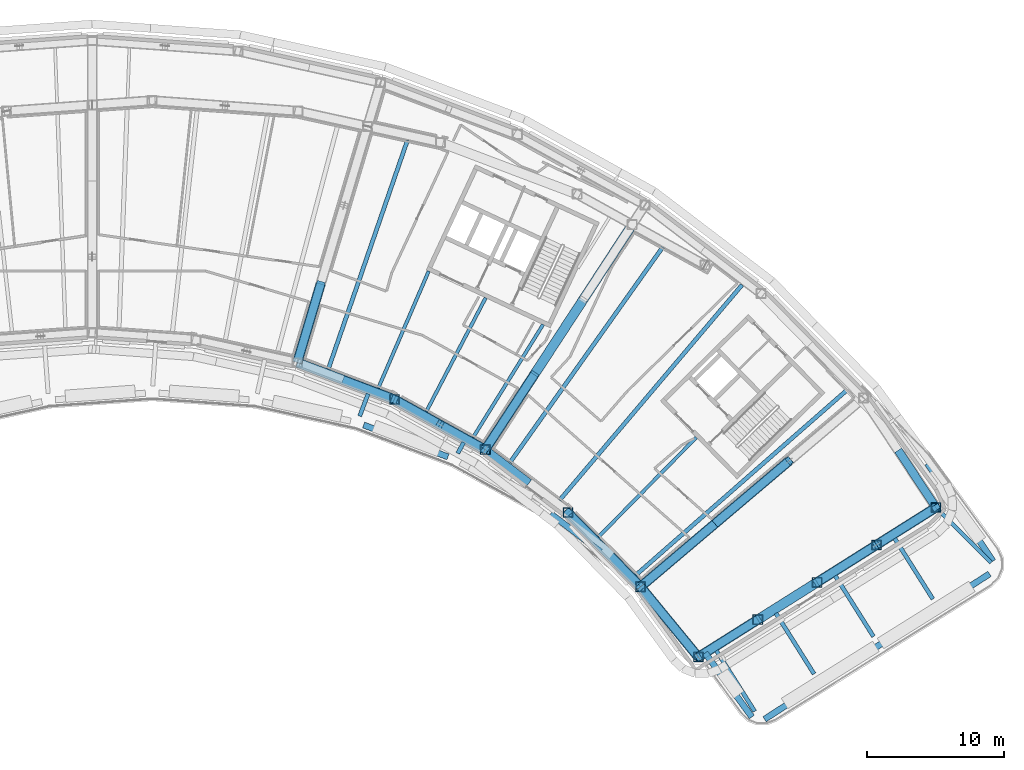
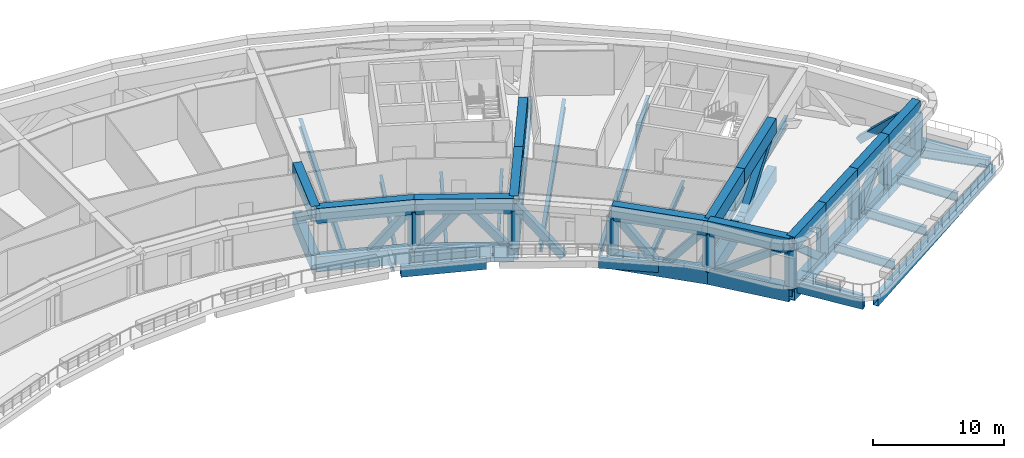
# One storey, part 4 of 26: 47 beams, 24 members.
"""IFC4 building model written with IfcOpenShell, lengths in metres."""

import ifcopenshell
import ifcopenshell.guid

model = None  # the IFC model being written
_history = None  # IfcOwnerHistory: only IFC2X3 demands one
_inside = {}  # id of a spatial element -> (the spatial element, [elements in it])
_under = {}  # id of a project, library or spatial element -> (it, [spatial elements below it])
_declared = {}  # id of a project -> (the project, [libraries it declares])
_typed = {}  # id of a type object -> (the type object, [elements of that type])
_made_of = {}  # id of a material, layer set ... -> (it, [elements and type objects made of it])


def new_model(schema):
    """Start an empty IFC model of exactly this schema.

    Asked for "IFC4X3", IfcOpenShell would pick the latest addendum, in which some entities
    have other attributes; the version numbers below select the first issue.
    IFC2X3 requires an IfcOwnerHistory on every rooted entity: one is made here for all.
    """
    global model, _history
    if schema == "IFC4X3":
        model = ifcopenshell.file(schema_version=(4, 3, 0, 0))
    else:
        model = ifcopenshell.file(schema=schema)
    _inside.clear()
    _under.clear()
    _declared.clear()
    _typed.clear()
    _made_of.clear()
    _history = None
    if model.schema == "IFC2X3":
        org = make("IfcOrganization", Name="unknown")
        user = make(
            "IfcPersonAndOrganization",
            ThePerson=make("IfcPerson", FamilyName="unknown"),
            TheOrganization=org,
        )
        app = make(
            "IfcApplication",
            ApplicationDeveloper=org,
            Version="unknown",
            ApplicationFullName="unknown",
            ApplicationIdentifier="unknown",
        )
        _history = make(
            "IfcOwnerHistory",
            OwningUser=user,
            OwningApplication=app,
            ChangeAction="ADDED",
            CreationDate=0,
        )
    return model


def make(cls, **values):
    """One entity of the class cls with the attributes given. An attribute that is None is left unset."""
    return model.create_entity(
        cls, **{name: value for name, value in values.items() if value is not None}
    )


def rooted(cls, **values):
    """An entity with a GlobalId (a new one), such as an element, a storey or a relation."""
    return make(cls, GlobalId=ifcopenshell.guid.new(), OwnerHistory=_history, **values)


def si_unit(unit_type, name, prefix=None):
    """IfcSIUnit, for example si_unit("LENGTHUNIT", "METRE", prefix="MILLI")."""
    return make("IfcSIUnit", UnitType=unit_type, Prefix=prefix, Name=name)


def assignment(units):
    """IfcUnitAssignment: the units of a project."""
    return None if units is None else make("IfcUnitAssignment", Units=units)


def point(xyz):
    """IfcCartesianPoint."""
    return None if xyz is None else make("IfcCartesianPoint", Coordinates=xyz)


def direction(xyz):
    """IfcDirection."""
    return None if xyz is None else make("IfcDirection", DirectionRatios=xyz)


def frame(location, z_axis=None, x_axis=None):
    """IfcAxis2Placement3D, a coordinate frame: its origin and axes. An axis left out is left unset."""
    return make(
        "IfcAxis2Placement3D",
        Location=point(location),
        Axis=direction(z_axis),
        RefDirection=direction(x_axis),
    )


def frame_2d(location, x_axis=None):
    """IfcAxis2Placement2D, a coordinate frame in the plane: its origin and x axis."""
    return make(
        "IfcAxis2Placement2D", Location=point(location), RefDirection=direction(x_axis)
    )


def origin():
    """The frame at (0, 0, 0) with its axes left unset."""
    return frame((0.0, 0.0, 0.0))


def origin_2d():
    """The frame at (0, 0) in the plane with its x axis left unset."""
    return frame_2d((0.0, 0.0))


def place(relative_to, where):
    """IfcLocalPlacement: puts the frame where relative to a parent placement (None: the world)."""
    return make(
        "IfcLocalPlacement", PlacementRelTo=relative_to, RelativePlacement=where
    )


def context(
    kind, dimensions, precision=None, world=None, true_north=None, identifier=None
):
    """IfcGeometricRepresentationContext, for example the 3D "Model" context."""
    return make(
        "IfcGeometricRepresentationContext",
        ContextIdentifier=identifier,
        ContextType=kind,
        CoordinateSpaceDimension=dimensions,
        Precision=precision,
        WorldCoordinateSystem=world,
        TrueNorth=true_north,
    )


def subcontext(parent, identifier, kind, view, scale=None):
    """IfcGeometricRepresentationSubContext, for example "Body" below "Model"."""
    return make(
        "IfcGeometricRepresentationSubContext",
        ContextIdentifier=identifier,
        ContextType=kind,
        ParentContext=parent,
        TargetScale=scale,
        TargetView=view,
    )


def project(units=None, contexts=None):
    """IfcProject with its units and contexts."""
    return rooted(
        "IfcProject",
        Name="project",
        RepresentationContexts=contexts,
        UnitsInContext=assignment(units),
    )


def spatial(cls, under=None, at=None, **own):
    """A site, building, storey or space (cls), placed at a placement, below another one or the project."""
    s = rooted(cls, ObjectPlacement=at, **own)
    if under is not None:
        _under.setdefault(under.id(), (under, []))[1].append(s)
    return s


def profile(cls, at=None, kind="AREA", **sizes):
    """A parametric profile (cls). Its sizes go by their IFC names, for example OverallWidth=200.0."""
    return make(cls, ProfileType=kind, Position=at, **sizes)


def hollow_rectangle(**sizes):
    """IfcRectangleHollowProfileDef."""
    return profile("IfcRectangleHollowProfileDef", **sizes)


def i_section(**sizes):
    """IfcIShapeProfileDef."""
    return profile("IfcIShapeProfileDef", **sizes)


def extrude(swept, where, along, depth):
    """IfcExtrudedAreaSolid: the profile swept, set in the frame where, extruded along a direction by depth."""
    return make(
        "IfcExtrudedAreaSolid",
        SweptArea=swept,
        Position=where,
        ExtrudedDirection=direction(along),
        Depth=depth,
    )


def shape(context_of_items, identifier, shape_type, items):
    """IfcShapeRepresentation: the items that make up one representation, for example the "Body"."""
    return make(
        "IfcShapeRepresentation",
        ContextOfItems=context_of_items,
        RepresentationIdentifier=identifier,
        RepresentationType=shape_type,
        Items=items,
    )


def material(Name=None, Category=None):
    """IfcMaterial."""
    return make("IfcMaterial", Name=Name, Category=Category)


def material_profile(
    of_material, cross_section, Name=None, Category=None, Priority=None
):
    """IfcMaterialProfile: a cross section and its material."""
    return make(
        "IfcMaterialProfile",
        Name=Name,
        Material=of_material,
        Profile=cross_section,
        Priority=Priority,
        Category=Category,
    )


def profile_set(profiles, Name=None, composite=None):
    """IfcMaterialProfileSet."""
    return make(
        "IfcMaterialProfileSet",
        Name=Name,
        MaterialProfiles=profiles,
        CompositeProfile=composite,
    )


def made_of(thing, what):
    """Note that an element or type object is made of a material, layer set ...; save() writes the relation."""
    if what is not None:
        _made_of.setdefault(what.id(), (what, []))[1].append(thing)
    return thing


def type_object(cls, material=None, **own):
    """A type object (cls), such as IfcWallType, which elements share."""
    return made_of(rooted(cls, **own), material)


def element(
    cls,
    number,
    at=None,
    inside=None,
    cuts=None,
    type_object=None,
    material=None,
    context=None,
    identifier="Body",
    shape_type=None,
    held_by="IfcProductDefinitionShape",
    body=None,
    shapes=None,
    **own,
):
    """One element of the class cls, such as IfcWall. Its Tag is "e" and its number.

    at: its placement. inside: the storey or other place that contains it. cuts: it is an
    opening in that element (IfcRelVoidsElement). A single representation is given by context,
    identifier, shape_type and body (its items); several are given by shapes. held_by: the class
    of the entity that holds the representations. save() writes the other relations.
    """
    e = rooted(cls, Tag="e%d" % number, ObjectPlacement=at, **own)
    if body is not None:
        shapes = [shape(context, identifier, shape_type, body)]
    if shapes is not None:
        e.Representation = make(held_by, Representations=shapes)
    if inside is not None:
        _inside.setdefault(inside.id(), (inside, []))[1].append(e)
    if cuts is not None:
        rooted(
            "IfcRelVoidsElement", RelatingBuildingElement=cuts, RelatedOpeningElement=e
        )
    if type_object is not None:
        _typed.setdefault(type_object.id(), (type_object, []))[1].append(e)
    return made_of(e, material)


def aggregate(whole, parts):
    """IfcRelAggregates: a whole, such as a stair, and the parts it consists of."""
    return rooted("IfcRelAggregates", RelatingObject=whole, RelatedObjects=parts)


def save(model, path):
    """Write the relations noted so far, then the file.

    IfcRelAggregates (storeys below a building ...), IfcRelContainedInSpatialStructure (elements
    in a storey), IfcRelDefinesByType, IfcRelAssociatesMaterial and IfcRelDeclares: one each for
    every whole, place, type object, material and project.
    """
    for whole, parts in _under.values():
        aggregate(whole, parts)
    for where, things in _inside.values():
        rooted(
            "IfcRelContainedInSpatialStructure",
            RelatedElements=things,
            RelatingStructure=where,
        )
    for kind, things in _typed.values():
        rooted("IfcRelDefinesByType", RelatedObjects=things, RelatingType=kind)
    for what, things in _made_of.values():
        rooted("IfcRelAssociatesMaterial", RelatedObjects=things, RelatingMaterial=what)
    for by, libraries in _declared.values():
        rooted("IfcRelDeclares", RelatingContext=by, RelatedDefinitions=libraries)
    model.write(path)


model = new_model("IFC4")

# Units and contexts
model_context = context("Model", 3, precision=1e-05, world=origin(), true_north=direction((0.0, 1.0)))
body_context = subcontext(model_context, "Body", "Model", "MODEL_VIEW")
ifc_project = project(units=[si_unit("LENGTHUNIT", "METRE"), si_unit("AREAUNIT", "SQUARE_METRE"), si_unit("VOLUMEUNIT", "CUBIC_METRE"), si_unit("PLANEANGLEUNIT", "RADIAN"), si_unit("MASSUNIT", "GRAM", prefix="KILO")], contexts=[model_context])

# Site, building, storey
site_placement = place(None, origin())
site = spatial("IfcSite", under=ifc_project, at=site_placement, CompositionType="ELEMENT")
building_placement = place(site_placement, origin())
building = spatial("IfcBuilding", under=site, at=building_placement, Name="Tuul Gate Civic Tower", CompositionType="ELEMENT")
storey_placement = place(building_placement, frame((0.0, 0.0, 167.60009765625)))
storey = spatial("IfcBuildingStorey", under=building, at=storey_placement, Name="Plant and refuge floor 5", CompositionType="ELEMENT", Elevation=167.60009765625)

# Beams
ifc_material_1 = material(Name="Steel S355", Category="steel")
ifc_material_profile_1 = material_profile(ifc_material_1, i_section(OverallWidth=0.25, OverallDepth=0.64990234375, WebThickness=0.011962890625, FlangeThickness=0.02001953125, at=origin_2d()), Name="PG650x250x12x20")
ifc_profile_set_1 = profile_set([ifc_material_profile_1], Name="Steel S355")
beam_type_1 = type_object("IfcBeamType", Name="STR-FLOOR BEAM-PG650x250x12x20", PredefinedType="BEAM", material=ifc_profile_set_1)
beam_1_placement = place(storey_placement, frame((37.98974609375, -22.6650390625, -0.72509765625), z_axis=(0.701216632852, 0.712948268679, 0.0), x_axis=(-0.712948268679, 0.701216632852, 0.0)))
element("IfcBeam", 1, at=beam_1_placement, inside=storey, type_object=beam_type_1, Name="Floor beam", PredefinedType="BEAM", context=body_context, shape_type="SweptSolid", body=[
    extrude(i_section(OverallWidth=0.25, OverallDepth=0.64990234375, WebThickness=0.011962890625, FlangeThickness=0.02001953125, at=origin_2d()), origin(), (0.0, 0.0, 1.0), 10.197021484375),
])
beam_2_placement = place(storey_placement, frame((28.826171875, -15.39453125, -0.72509765625), z_axis=(0.526994155031, 0.84986890787, 0.0), x_axis=(-0.84986890787, 0.526994155031, 0.0)))
element("IfcBeam", 2, at=beam_2_placement, inside=storey, type_object=beam_type_1, Name="Floor beam", PredefinedType="BEAM", context=body_context, shape_type="SweptSolid", body=[
    extrude(i_section(OverallWidth=0.25, OverallDepth=0.64990234375, WebThickness=0.011962890625, FlangeThickness=0.02001953125, at=origin_2d()), origin(), (0.0, 0.0, 1.0), 9.709716796875),
])
beam_3_placement = place(storey_placement, frame((25.4091796875, -13.50048828125, -0.72509765625), z_axis=(0.462713689237, 0.886507778755, 0.0), x_axis=(-0.886507778755, 0.462713689237, 0.0)))
element("IfcBeam", 3, at=beam_3_placement, inside=storey, type_object=beam_type_1, Name="Floor beam", PredefinedType="BEAM", context=body_context, shape_type="SweptSolid", body=[
    extrude(i_section(OverallWidth=0.25, OverallDepth=0.64990234375, WebThickness=0.011962890625, FlangeThickness=0.02001953125, at=origin_2d()), origin(), (0.0, 0.0, 1.0), 9.378173828125),
])
beam_4_placement = place(storey_placement, frame((21.89794921875, -11.7880859375, -0.72509765625), z_axis=(0.395919764513, 0.918285108269, 0.0), x_axis=(-0.918285108269, 0.395919764513, 0.0)))
element("IfcBeam", 4, at=beam_4_placement, inside=storey, type_object=beam_type_1, Name="Floor beam", PredefinedType="BEAM", context=body_context, shape_type="SweptSolid", body=[
    extrude(i_section(OverallWidth=0.25, OverallDepth=0.64990234375, WebThickness=0.011962890625, FlangeThickness=0.02001953125, at=origin_2d()), origin(), (0.0, 0.0, 1.0), 9.304443359375),
])
ifc_material_2 = material(Name="Steel S355", Category="steel")
ifc_material_profile_2 = material_profile(ifc_material_2, i_section(OverallWidth=0.300048828125, OverallDepth=0.800048828125, WebThickness=0.013916015625, FlangeThickness=0.02490234375, at=origin_2d()), Name="PG800x300x14x25")
ifc_profile_set_2 = profile_set([ifc_material_profile_2], Name="Steel S355")
beam_type_2 = type_object("IfcBeamType", Name="STR-FLOOR BEAM-PG800x300x14x25", PredefinedType="BEAM", material=ifc_profile_set_2)
beam_5_placement = place(storey_placement, frame((40.724853515625, -25.455810546875, -0.800048828125), z_axis=(0.75201860122, 0.659141884134, 0.0), x_axis=(-0.659141884134, 0.75201860122, 0.0)))
element("IfcBeam", 5, at=beam_5_placement, inside=storey, type_object=beam_type_2, Name="Floor beam", PredefinedType="BEAM", context=body_context, shape_type="SweptSolid", body=[
    extrude(i_section(OverallWidth=0.300048828125, OverallDepth=0.800048828125, WebThickness=0.013916015625, FlangeThickness=0.02490234375, at=origin_2d()), origin(), (0.0, 0.0, 1.0), 20.63232421875),
])
beam_6_placement = place(storey_placement, frame((35.14794921875, -19.9833984375, -0.800048828125), z_axis=(0.646595130625, 0.762833361261, 0.0), x_axis=(-0.762833361261, 0.646595130625, 0.0)))
element("IfcBeam", 6, at=beam_6_placement, inside=storey, type_object=beam_type_2, Name="Floor beam", PredefinedType="BEAM", context=body_context, shape_type="SweptSolid", body=[
    extrude(i_section(OverallWidth=0.300048828125, OverallDepth=0.800048828125, WebThickness=0.013916015625, FlangeThickness=0.02490234375, at=origin_2d()), origin(), (0.0, 0.0, 1.0), 20.62744140625),
])
beam_7_placement = place(storey_placement, frame((31.525146484375, -17.225341796875, -0.800048828125), z_axis=(0.578474532551, 0.81570044452, 0.0), x_axis=(-0.81570044452, 0.578474532551, 0.0)))
element("IfcBeam", 7, at=beam_7_placement, inside=storey, type_object=beam_type_2, Name="Floor beam", PredefinedType="BEAM", context=body_context, shape_type="SweptSolid", body=[
    extrude(i_section(OverallWidth=0.300048828125, OverallDepth=0.800048828125, WebThickness=0.013916015625, FlangeThickness=0.02490234375, at=origin_2d()), origin(), (0.0, 0.0, 1.0), 19.3017578125),
])
beam_8_placement = place(storey_placement, frame((18.243896484375, -10.406494140625, -0.800048828125), z_axis=(0.326923596395, 0.945050772245, 0.0), x_axis=(-0.945050772245, 0.326923596395, 0.0)))
element("IfcBeam", 8, at=beam_8_placement, inside=storey, type_object=beam_type_2, Name="Floor beam", PredefinedType="BEAM", context=body_context, shape_type="SweptSolid", body=[
    extrude(i_section(OverallWidth=0.300048828125, OverallDepth=0.800048828125, WebThickness=0.013916015625, FlangeThickness=0.02490234375, at=origin_2d()), origin(), (0.0, 0.0, 1.0), 17.7158203125),
])
beam_9_placement = place(storey_placement, frame((66.69140625, -24.54345703125, -0.800048828125), z_axis=(-0.707106781187, 0.707106781187, 0.0), x_axis=(-0.707106781187, -0.707106781187, 0.0)))
element("IfcBeam", 9, at=beam_9_placement, inside=storey, type_object=beam_type_2, Name="Terrace beam", PredefinedType="BEAM", context=body_context, shape_type="SweptSolid", body=[
    extrude(i_section(OverallWidth=0.300048828125, OverallDepth=0.800048828125, WebThickness=0.013916015625, FlangeThickness=0.02490234375, at=origin_2d()), origin(), (0.0, 0.0, 1.0), 5.39990234375),
])
beam_10_placement = place(storey_placement, frame((49.408447265625, -35.411865234375, -0.800048828125), z_axis=(-0.532970022672, 0.846134123489, 0.0), x_axis=(-0.846134123489, -0.532970022672, 0.0)))
element("IfcBeam", 10, at=beam_10_placement, inside=storey, type_object=beam_type_2, Name="Terrace beam", PredefinedType="BEAM", context=body_context, shape_type="SweptSolid", body=[
    extrude(i_section(OverallWidth=0.300048828125, OverallDepth=0.800048828125, WebThickness=0.013916015625, FlangeThickness=0.02490234375, at=origin_2d()), origin(), (0.0, 0.0, 1.0), 5.245849609375),
])
beam_11_placement = place(storey_placement, frame((53.750732421875, -32.6767578125, -0.800048828125), z_axis=(-0.532761423748, 0.846265481611, 0.0), x_axis=(-0.846265481611, -0.532761423748, 0.0)))
element("IfcBeam", 11, at=beam_11_placement, inside=storey, type_object=beam_type_2, Name="Terrace beam", PredefinedType="BEAM", context=body_context, shape_type="SweptSolid", body=[
    extrude(i_section(OverallWidth=0.300048828125, OverallDepth=0.800048828125, WebThickness=0.013916015625, FlangeThickness=0.02490234375, at=origin_2d()), origin(), (0.0, 0.0, 1.0), 5.24560546875),
])
beam_12_placement = place(storey_placement, frame((58.093505859375, -29.94287109375, -0.800048828125), z_axis=(-0.532970022672, 0.846134123489, 0.0), x_axis=(-0.846134123489, -0.532970022672, 0.0)))
element("IfcBeam", 12, at=beam_12_placement, inside=storey, type_object=beam_type_2, Name="Terrace beam", PredefinedType="BEAM", context=body_context, shape_type="SweptSolid", body=[
    extrude(i_section(OverallWidth=0.300048828125, OverallDepth=0.800048828125, WebThickness=0.013916015625, FlangeThickness=0.02490234375, at=origin_2d()), origin(), (0.0, 0.0, 1.0), 5.245849609375),
])
beam_13_placement = place(storey_placement, frame((62.435546875, -27.207763671875, -0.800048828125), z_axis=(-0.532728091048, 0.846286465098, 0.0), x_axis=(-0.846286465098, -0.532728091048, 0.0)))
element("IfcBeam", 13, at=beam_13_placement, inside=storey, type_object=beam_type_2, Name="Terrace beam", PredefinedType="BEAM", context=body_context, shape_type="SweptSolid", body=[
    extrude(i_section(OverallWidth=0.300048828125, OverallDepth=0.800048828125, WebThickness=0.013916015625, FlangeThickness=0.02490234375, at=origin_2d()), origin(), (0.0, 0.0, 1.0), 5.24560546875),
])
beam_14_placement = place(storey_placement, frame((20.536865234375, -13.83935546875, -0.800048828125), z_axis=(0.353644720261, 0.935379822228, 0.0), x_axis=(-0.935379822228, 0.353644720261, 0.0)))
element("IfcBeam", 14, at=beam_14_placement, inside=storey, type_object=beam_type_2, Name="Terrace beam", PredefinedType="BEAM", context=body_context, shape_type="SweptSolid", body=[
    extrude(i_section(OverallWidth=0.300048828125, OverallDepth=0.800048828125, WebThickness=0.013916015625, FlangeThickness=0.02490234375, at=origin_2d()), origin(), (0.0, 0.0, 1.0), 1.75),
])
beam_15_placement = place(storey_placement, frame((27.703369140625, -16.5546875, -0.800048828125), z_axis=(0.484844495203, 0.874600374726, 0.0), x_axis=(-0.874600374726, 0.484844495203, 0.0)))
element("IfcBeam", 15, at=beam_15_placement, inside=storey, type_object=beam_type_2, Name="Terrace beam", PredefinedType="BEAM", context=body_context, shape_type="SweptSolid", body=[
    extrude(i_section(OverallWidth=0.300048828125, OverallDepth=0.800048828125, WebThickness=0.013916015625, FlangeThickness=0.02490234375, at=origin_2d()), origin(), (0.0, 0.0, 1.0), 0.908935546875),
])
ifc_material_3 = material(Name="Steel S355", Category="steel")
ifc_material_profile_3 = material_profile(ifc_material_3, hollow_rectangle(XDim=0.449951171875, YDim=0.89990234375, WallThickness=0.02490234375, at=origin_2d()), Name="BOX900x450x25")
ifc_profile_set_3 = profile_set([ifc_material_profile_3], Name="Steel S355")
beam_type_3 = type_object("IfcBeamType", Name="STR-SPANDREL BEAM-BOX900x450x25", PredefinedType="BEAM", material=ifc_profile_set_3)
beam_16_placement = place(storey_placement, frame((66.822998046875, -24.44189453125, -0.85009765625), z_axis=(-0.5557146141, 0.831373121814, 0.0), x_axis=(-0.831373121814, -0.5557146141, 0.0)))
element("IfcBeam", 16, at=beam_16_placement, inside=storey, type_object=beam_type_3, Name="Terrace edge beam", PredefinedType="BEAM", context=body_context, shape_type="SweptSolid", body=[
    extrude(hollow_rectangle(XDim=0.449951171875, YDim=0.89990234375, WallThickness=0.02490234375, at=origin_2d()), origin(), (0.0, 0.0, 1.0), 8.605224609375),
])
beam_17_placement = place(storey_placement, frame((20.82763671875, -14.48388671875, -0.85009765625), z_axis=(0.935371380161, -0.353667048472, 0.0), x_axis=(0.353667048472, 0.935371380161, 0.0)))
element("IfcBeam", 17, at=beam_17_placement, inside=storey, type_object=beam_type_3, Name="Terrace edge beam", PredefinedType="BEAM", context=body_context, shape_type="SweptSolid", body=[
    extrude(hollow_rectangle(XDim=0.449951171875, YDim=0.89990234375, WallThickness=0.02490234375, at=origin_2d()), origin(), (0.0, 0.0, 1.0), 6.591796875),
])
beam_18_placement = place(storey_placement, frame((34.498779296875, -20.974853515625, -0.85009765625), z_axis=(0.79560183751, -0.605819871043, 0.0), x_axis=(0.605819871043, 0.79560183751, 0.0)))
element("IfcBeam", 18, at=beam_18_placement, inside=storey, type_object=beam_type_3, Name="Terrace edge beam", PredefinedType="BEAM", context=body_context, shape_type="SweptSolid", body=[
    extrude(hollow_rectangle(XDim=0.449951171875, YDim=0.89990234375, WallThickness=0.02490234375, at=origin_2d()), origin(), (0.0, 0.0, 1.0), 4.578369140625),
])
beam_19_placement = place(storey_placement, frame((45.790771484375, -31.152587890625, -0.85009765625), z_axis=(0.589848413031, -0.807513993467, 0.0), x_axis=(0.807513993467, 0.589848413031, 0.0)))
element("IfcBeam", 19, at=beam_19_placement, inside=storey, type_object=beam_type_3, Name="Terrace edge beam", PredefinedType="BEAM", context=body_context, shape_type="SweptSolid", body=[
    extrude(hollow_rectangle(XDim=0.449951171875, YDim=0.89990234375, WallThickness=0.02490234375, at=origin_2d()), origin(), (0.0, 0.0, 1.0), 5.78759765625),
])
beam_20_placement = place(storey_placement, frame((50.132568359375, -35.9912109375, -0.85009765625), z_axis=(0.839873389793, 0.542782358886, 0.0), x_axis=(-0.542782358886, 0.839873389793, 0.0)))
element("IfcBeam", 20, at=beam_20_placement, inside=storey, type_object=beam_type_3, Name="Terrace edge beam", PredefinedType="BEAM", context=body_context, shape_type="SweptSolid", body=[
    extrude(hollow_rectangle(XDim=0.449951171875, YDim=0.89990234375, WallThickness=0.02490234375, at=origin_2d()), origin(), (0.0, 0.0, 1.0), 19.58349609375),
])
ifc_material_4 = material(Name="Steel S460", Category="steel")
ifc_material_profile_4 = material_profile(ifc_material_4, hollow_rectangle(XDim=0.699951171875, YDim=1.39990234375, WallThickness=0.0400390625, at=origin_2d()), Name="BOX1400x700x40")
ifc_profile_set_4 = profile_set([ifc_material_profile_4], Name="Steel S460")
beam_type_4 = type_object("IfcBeamType", Name="STR-TRANSFER TRUSS CHORD-BOX1400x700x40", PredefinedType="BEAM", material=ifc_profile_set_4)
beam_21_placement = place(storey_placement, frame((51.931640625, -17.10302734375, -1.10009765625), z_axis=(-0.762827934926, -0.646601532396, 0.0), x_axis=(0.646601532396, -0.762827934926, 0.0)))
element("IfcBeam", 21, at=beam_21_placement, inside=storey, type_object=beam_type_4, Name="Radial truss bottom chord", PredefinedType="BEAM", context=body_context, shape_type="SweptSolid", body=[
    extrude(hollow_rectangle(XDim=0.699951171875, YDim=1.39990234375, WallThickness=0.0400390625, at=origin_2d()), origin(), (0.0, 0.0, 1.0), 7.118896484375),
])
beam_22_placement = place(storey_placement, frame((46.501220703125, -21.7060546875, -1.10009765625), z_axis=(-0.762813595765, -0.646618448636, 0.0), x_axis=(0.646618448636, -0.762813595765, 0.0)))
element("IfcBeam", 22, at=beam_22_placement, inside=storey, type_object=beam_type_4, Name="Radial truss bottom chord", PredefinedType="BEAM", context=body_context, shape_type="SweptSolid", body=[
    extrude(hollow_rectangle(XDim=0.699951171875, YDim=1.39990234375, WallThickness=0.0400390625, at=origin_2d()), origin(), (0.0, 0.0, 1.0), 7.11865234375),
])
beam_23_placement = place(storey_placement, frame((51.931640625, -17.10302734375, 3.39990234375), z_axis=(-0.762827934926, -0.646601532396, 0.0), x_axis=(0.646601532396, -0.762827934926, 0.0)))
element("IfcBeam", 23, at=beam_23_placement, inside=storey, type_object=beam_type_4, Name="Radial truss top chord", PredefinedType="BEAM", context=body_context, shape_type="SweptSolid", body=[
    extrude(hollow_rectangle(XDim=0.699951171875, YDim=1.39990234375, WallThickness=0.0400390625, at=origin_2d()), origin(), (0.0, 0.0, 1.0), 7.118896484375),
])
beam_24_placement = place(storey_placement, frame((46.501220703125, -21.7060546875, 3.39990234375), z_axis=(-0.762813595765, -0.646618448636, 0.0), x_axis=(0.646618448636, -0.762813595765, 0.0)))
element("IfcBeam", 24, at=beam_24_placement, inside=storey, type_object=beam_type_4, Name="Radial truss top chord", PredefinedType="BEAM", context=body_context, shape_type="SweptSolid", body=[
    extrude(hollow_rectangle(XDim=0.699951171875, YDim=1.39990234375, WallThickness=0.0400390625, at=origin_2d()), origin(), (0.0, 0.0, 1.0), 7.11865234375),
])
for number, where, z_axis, x_axis, name in (
    (25, (17.688232421875, -4.169189453125, -1.10009765625), (-0.285205561447, -0.958466372764, 0.0), (0.958466372764, -0.285205561447, 0.0), "Radial truss bottom chord"),
    (26, (17.688232421875, -4.169189453125, 3.39990234375), (-0.285205561447, -0.958466372764, 0.0), (0.958466372764, -0.285205561447, 0.0), "Radial truss top chord"),
):
    element("IfcBeam", number, at=place(storey_placement, frame(where, z_axis=z_axis, x_axis=x_axis)), inside=storey, type_object=beam_type_4, Name=name, PredefinedType="BEAM", context=body_context, shape_type="SweptSolid", body=[
        extrude(hollow_rectangle(XDim=0.699951171875, YDim=1.39990234375, WallThickness=0.0400390625, at=origin_2d()), origin(), (0.0, 0.0, 1.0), 6.003173828125),
    ])
beam_25_placement = place(storey_placement, frame((40.455078125, 0.158203125, -1.10009765625), z_axis=(-0.54674088621, -0.837301859156, 0.0), x_axis=(0.837301859156, -0.54674088621, 0.0)))
element("IfcBeam", 27, at=beam_25_placement, inside=storey, type_object=beam_type_4, Name="Radial truss bottom chord", PredefinedType="BEAM", context=body_context, shape_type="SweptSolid", body=[
    extrude(hollow_rectangle(XDim=0.699951171875, YDim=1.39990234375, WallThickness=0.0400390625, at=origin_2d()), origin(), (0.0, 0.0, 1.0), 6.547119140625),
])
for number, where, z_axis, x_axis, name in (
    (28, (36.87548828125, -5.32373046875, -1.10009765625), (-0.546749957806, -0.83729593552, 0.0), (0.83729593552, -0.546749957806, 0.0), "Radial truss bottom chord"),
    (29, (33.295654296875, -10.805908203125, -1.10009765625), (-0.546723815905, -0.837313005466, 0.0), (0.837313005466, -0.546723815905, 0.0), "Radial truss bottom chord"),
    (30, (36.87548828125, -5.32373046875, 3.39990234375), (-0.546749957806, -0.83729593552, 0.0), (0.83729593552, -0.546749957806, 0.0), "Radial truss top chord"),
    (31, (33.295654296875, -10.805908203125, 3.39990234375), (-0.546723815905, -0.837313005466, 0.0), (0.837313005466, -0.546723815905, 0.0), "Radial truss top chord"),
):
    element("IfcBeam", number, at=place(storey_placement, frame(where, z_axis=z_axis, x_axis=x_axis)), inside=storey, type_object=beam_type_4, Name=name, PredefinedType="BEAM", context=body_context, shape_type="SweptSolid", body=[
        extrude(hollow_rectangle(XDim=0.699951171875, YDim=1.39990234375, WallThickness=0.0400390625, at=origin_2d()), origin(), (0.0, 0.0, 1.0), 6.54736328125),
    ])
for number, where, z_axis, x_axis, name in (
    (32, (35.757080078125, -20.886962890625, -1.10009765625), (0.699947938495, -0.714193869615, 0.0), (0.714193869615, 0.699947938495, 0.0), "Belt truss bottom chord"),
    (33, (35.757080078125, -20.886962890625, 3.39990234375), (0.699947938495, -0.714193869615, 0.0), (0.714193869615, 0.699947938495, 0.0), "Belt truss top chord"),
):
    element("IfcBeam", number, at=place(storey_placement, frame(where, z_axis=z_axis, x_axis=x_axis)), inside=storey, type_object=beam_type_4, Name=name, PredefinedType="BEAM", context=body_context, shape_type="SweptSolid", body=[
        extrude(hollow_rectangle(XDim=0.699951171875, YDim=1.39990234375, WallThickness=0.0400390625, at=origin_2d()), origin(), (0.0, 0.0, 1.0), 7.592041015625),
    ])
for number, where, z_axis, x_axis, name in (
    (34, (15.97607421875, -9.923095703125, -1.10009765625), (0.935372825065, -0.353663226998, 0.0), (0.353663226998, 0.935372825065, 0.0), "Belt truss bottom chord"),
    (35, (15.97607421875, -9.923095703125, 3.39990234375), (0.935372825065, -0.353663226998, 0.0), (0.353663226998, 0.935372825065, 0.0), "Belt truss top chord"),
):
    element("IfcBeam", number, at=place(storey_placement, frame(where, z_axis=z_axis, x_axis=x_axis)), inside=storey, type_object=beam_type_4, Name=name, PredefinedType="BEAM", context=body_context, shape_type="SweptSolid", body=[
        extrude(hollow_rectangle(XDim=0.699951171875, YDim=1.39990234375, WallThickness=0.0400390625, at=origin_2d()), origin(), (0.0, 0.0, 1.0), 7.591552734375),
    ])
for number, where, z_axis, x_axis, name in (
    (36, (23.076904296875, -12.60791015625, -1.10009765625), (0.874618075338, -0.484812564082, 0.0), (0.484812564082, 0.874618075338, 0.0), "Belt truss bottom chord"),
    (37, (23.076904296875, -12.60791015625, 3.39990234375), (0.874618075338, -0.484812564082, 0.0), (0.484812564082, 0.874618075338, 0.0), "Belt truss top chord"),
):
    element("IfcBeam", number, at=place(storey_placement, frame(where, z_axis=z_axis, x_axis=x_axis)), inside=storey, type_object=beam_type_4, Name=name, PredefinedType="BEAM", context=body_context, shape_type="SweptSolid", body=[
        extrude(hollow_rectangle(XDim=0.699951171875, YDim=1.39990234375, WallThickness=0.0400390625, at=origin_2d()), origin(), (0.0, 0.0, 1.0), 7.5908203125),
    ])
for number, where, z_axis, x_axis, name in (
    (38, (41.071044921875, -26.30908203125, -1.10009765625), (0.634408284955, -0.772998142288, 0.0), (0.772998142288, 0.634408284955, 0.0), "Belt truss bottom chord"),
    (39, (41.071044921875, -26.30908203125, 3.39990234375), (0.634408284955, -0.772998142288, 0.0), (0.772998142288, 0.634408284955, 0.0), "Belt truss top chord"),
):
    element("IfcBeam", number, at=place(storey_placement, frame(where, z_axis=z_axis, x_axis=x_axis)), inside=storey, type_object=beam_type_4, Name=name, PredefinedType="BEAM", context=body_context, shape_type="SweptSolid", body=[
        extrude(hollow_rectangle(XDim=0.699951171875, YDim=1.39990234375, WallThickness=0.0400390625, at=origin_2d()), origin(), (0.0, 0.0, 1.0), 6.65185546875),
    ])
for number, where, z_axis, x_axis, name in (
    (40, (58.318115234375, -23.2470703125, -1.10009765625), (0.846251112224, 0.532784248134, 0.0), (-0.532784248134, 0.846251112224, 0.0), "Belt truss bottom chord"),
    (41, (58.318115234375, -23.2470703125, 3.39990234375), (0.846251112224, 0.532784248134, 0.0), (-0.532784248134, 0.846251112224, 0.0), "Belt truss top chord"),
):
    element("IfcBeam", number, at=place(storey_placement, frame(where, z_axis=z_axis, x_axis=x_axis)), inside=storey, type_object=beam_type_4, Name=name, PredefinedType="BEAM", context=body_context, shape_type="SweptSolid", body=[
        extrude(hollow_rectangle(XDim=0.699951171875, YDim=1.39990234375, WallThickness=0.0400390625, at=origin_2d()), origin(), (0.0, 0.0, 1.0), 5.1318359375),
    ])
for number, where, z_axis, x_axis, name in (
    (42, (49.633056640625, -28.716064453125, -1.10009765625), (0.846264615796, 0.53276279905, 0.0), (-0.53276279905, 0.846264615796, 0.0), "Belt truss bottom chord"),
    (43, (49.633056640625, -28.716064453125, 3.39990234375), (0.846264615796, 0.53276279905, 0.0), (-0.53276279905, 0.846264615796, 0.0), "Belt truss top chord"),
):
    element("IfcBeam", number, at=place(storey_placement, frame(where, z_axis=z_axis, x_axis=x_axis)), inside=storey, type_object=beam_type_4, Name=name, PredefinedType="BEAM", context=body_context, shape_type="SweptSolid", body=[
        extrude(hollow_rectangle(XDim=0.699951171875, YDim=1.39990234375, WallThickness=0.0400390625, at=origin_2d()), origin(), (0.0, 0.0, 1.0), 5.132080078125),
    ])
for number, where, z_axis, x_axis, name in (
    (44, (45.291015625, -31.450927734375, -1.10009765625), (0.846146228652, 0.532950804237, 0.0), (-0.532950804237, 0.846146228652, 0.0), "Belt truss bottom chord"),
    (45, (45.291015625, -31.450927734375, 3.39990234375), (0.846146228652, 0.532950804237, 0.0), (-0.532950804237, 0.846146228652, 0.0), "Belt truss top chord"),
    (46, (53.97607421875, -25.98193359375, -1.10009765625), (0.846146228652, 0.532950804237, 0.0), (-0.532950804237, 0.846146228652, 0.0), "Belt truss bottom chord"),
    (47, (53.97607421875, -25.98193359375, 3.39990234375), (0.846146228652, 0.532950804237, 0.0), (-0.532950804237, 0.846146228652, 0.0), "Belt truss top chord"),
):
    element("IfcBeam", number, at=place(storey_placement, frame(where, z_axis=z_axis, x_axis=x_axis)), inside=storey, type_object=beam_type_4, Name=name, PredefinedType="BEAM", context=body_context, shape_type="SweptSolid", body=[
        extrude(hollow_rectangle(XDim=0.699951171875, YDim=1.39990234375, WallThickness=0.0400390625, at=origin_2d()), origin(), (0.0, 0.0, 1.0), 5.131591796875),
    ])

# Members
ifc_material_5 = material(Name="Steel S355", Category="steel")
ifc_material_profile_5 = material_profile(ifc_material_5, hollow_rectangle(XDim=0.60009765625, YDim=0.60009765625, WallThickness=0.02490234375, at=origin_2d()), Name="BOX600x600x25")
ifc_profile_set_5 = profile_set([ifc_material_profile_5], Name="Steel S355")
member_type_1 = type_object("IfcMemberType", Name="STR-TRANSFER TRUSS DIAGONAL-BOX600x600x25", PredefinedType="BRACE", material=ifc_profile_set_5)
for number, where, z_axis, x_axis, name in (
    (48, (46.498046875, -21.708740234375, -1.102783203125), (0.644798242052, 0.546554026538, 0.534335028911), (-0.64660076349, 0.762828586679, 0.0), "Radial truss web"),
    (49, (46.504638671875, -21.703369140625, -1.102783203125), (-0.644798242052, -0.546554026538, 0.534335028911), (0.64660076349, -0.762828586679, 0.0), "Radial truss web"),
):
    element("IfcMember", number, at=place(storey_placement, frame(where, z_axis=z_axis, x_axis=x_axis)), inside=storey, type_object=member_type_1, Name=name, PredefinedType="BRACE", context=body_context, shape_type="SweptSolid", body=[
        extrude(hollow_rectangle(XDim=0.60009765625, YDim=0.60009765625, WallThickness=0.02490234375, at=origin_2d()), origin(), (0.0, 0.0, 1.0), 8.431640625),
    ])
member_1_placement = place(storey_placement, frame((17.689208984375, -4.165283203125, -1.10302734375), z_axis=(-0.228202989459, -0.766927135892, 0.599788432562), x_axis=(0.958468865223, -0.285197185118, 0.0)))
element("IfcMember", 50, at=member_1_placement, inside=storey, type_object=member_type_1, Name="Radial truss web", PredefinedType="BRACE", context=body_context, shape_type="SweptSolid", body=[
    extrude(hollow_rectangle(XDim=0.60009765625, YDim=0.60009765625, WallThickness=0.02490234375, at=origin_2d()), origin(), (0.0, 0.0, 1.0), 7.512451171875),
])
member_2_placement = place(storey_placement, frame((33.298095703125, -10.802490234375, -1.10302734375), z_axis=(-0.450574698044, -0.69002594756, 0.566433255712), x_axis=(0.837300774915, -0.546742546659, 0.0)))
element("IfcMember", 51, at=member_2_placement, inside=storey, type_object=member_type_1, Name="Radial truss web", PredefinedType="BRACE", context=body_context, shape_type="SweptSolid", body=[
    extrude(hollow_rectangle(XDim=0.60009765625, YDim=0.60009765625, WallThickness=0.02490234375, at=origin_2d()), origin(), (0.0, 0.0, 1.0), 7.954833984375),
])
member_3_placement = place(storey_placement, frame((60.009521484375, -16.50341796875, -1.103515625), z_axis=(0.402542066757, -0.608720343106, 0.683680794216), x_axis=(0.834113511354, 0.551592830063, 0.0)))
element("IfcMember", 52, at=member_3_placement, inside=storey, type_object=member_type_1, Name="Belt truss web", PredefinedType="BRACE", context=body_context, shape_type="SweptSolid", body=[
    extrude(hollow_rectangle(XDim=0.60009765625, YDim=0.60009765625, WallThickness=0.02490234375, at=origin_2d()), origin(), (0.0, 0.0, 1.0), 6.592041015625),
])
for number, where, z_axis, x_axis, name in (
    (53, (32.739013671875, -18.58935546875, -1.10400390625), (-0.513042979465, 0.390546878744, 0.764369044851), (-0.605706570253, -0.795688098913, 0.0), "Belt truss web"),
    (54, (38.416259765625, -23.600341796875, -1.10400390625), (-0.451323523042, 0.460472532269, 0.764376951886), (-0.714165976552, -0.699976398127, 0.0), "Belt truss web"),
):
    element("IfcMember", number, at=place(storey_placement, frame(where, z_axis=z_axis, x_axis=x_axis)), inside=storey, type_object=member_type_1, Name=name, PredefinedType="BRACE", context=body_context, shape_type="SweptSolid", body=[
        extrude(hollow_rectangle(XDim=0.60009765625, YDim=0.60009765625, WallThickness=0.02490234375, at=origin_2d()), origin(), (0.0, 0.0, 1.0), 5.8974609375),
    ])
for number, where, z_axis, x_axis, name in (
    (55, (38.411865234375, -23.595703125, -1.10400390625), (0.451290556414, -0.460481135583, 0.764391233247), (0.714198073899, 0.699943648617, 0.0), "Belt truss web"),
    (56, (19.5234375, -11.264404296875, -1.10400390625), (0.603094632045, -0.228023423483, 0.764383531444), (0.353655277079, 0.93537583088, 0.0), "Belt truss web"),
):
    element("IfcMember", number, at=place(storey_placement, frame(where, z_axis=z_axis, x_axis=x_axis)), inside=storey, type_object=member_type_1, Name=name, PredefinedType="BRACE", context=body_context, shape_type="SweptSolid", body=[
        extrude(hollow_rectangle(XDim=0.60009765625, YDim=0.60009765625, WallThickness=0.02490234375, at=origin_2d()), origin(), (0.0, 0.0, 1.0), 5.897216796875),
    ])
member_4_placement = place(storey_placement, frame((23.07421875, -12.6064453125, -1.10400390625), z_axis=(0.563883990901, -0.312537463092, 0.764431278121), x_axis=(0.484775759945, 0.874638475354, 0.0)))
element("IfcMember", 57, at=member_4_placement, inside=storey, type_object=member_type_1, Name="Belt truss web", PredefinedType="BRACE", context=body_context, shape_type="SweptSolid", body=[
    extrude(hollow_rectangle(XDim=0.60009765625, YDim=0.60009765625, WallThickness=0.02490234375, at=origin_2d()), origin(), (0.0, 0.0, 1.0), 5.89697265625),
])
member_5_placement = place(storey_placement, frame((29.71875, -16.28955078125, -1.10400390625), z_axis=(-0.563855752869, 0.31254475941, 0.76444912409), x_axis=(-0.484802989565, -0.874623382553, 0.0)))
element("IfcMember", 58, at=member_5_placement, inside=storey, type_object=member_type_1, Name="Belt truss web", PredefinedType="BRACE", context=body_context, shape_type="SweptSolid", body=[
    extrude(hollow_rectangle(XDim=0.60009765625, YDim=0.60009765625, WallThickness=0.02490234375, at=origin_2d()), origin(), (0.0, 0.0, 1.0), 5.896728515625),
])
member_6_placement = place(storey_placement, frame((41.068359375, -26.305908203125, -1.102783203125), z_axis=(0.525482404617, -0.640252352583, 0.560308100468), x_axis=(0.772986250594, 0.634422774175, 0.0)))
element("IfcMember", 59, at=member_6_placement, inside=storey, type_object=member_type_1, Name="Belt truss web", PredefinedType="BRACE", context=body_context, shape_type="SweptSolid", body=[
    extrude(hollow_rectangle(XDim=0.60009765625, YDim=0.60009765625, WallThickness=0.02490234375, at=origin_2d()), origin(), (0.0, 0.0, 1.0), 8.040771484375),
])
member_7_placement = place(storey_placement, frame((62.6640625, -20.510986328125, -1.103515625), z_axis=(-0.636281632262, -0.400555627607, 0.659318491807), x_axis=(0.532750272584, -0.846272501657, 0.0)))
element("IfcMember", 60, at=member_7_placement, inside=storey, type_object=member_type_1, Name="Belt truss web", PredefinedType="BRACE", context=body_context, shape_type="SweptSolid", body=[
    extrude(hollow_rectangle(XDim=0.60009765625, YDim=0.60009765625, WallThickness=0.02490234375, at=origin_2d()), origin(), (0.0, 0.0, 1.0), 6.835693359375),
])
member_8_placement = place(storey_placement, frame((49.63623046875, -28.714111328125, -1.103515625), z_axis=(-0.636160179243, -0.400711978605, 0.65934068322), x_axis=(0.532972018739, -0.846132866187, 0.0)))
element("IfcMember", 61, at=member_8_placement, inside=storey, type_object=member_type_1, Name="Belt truss web", PredefinedType="BRACE", context=body_context, shape_type="SweptSolid", body=[
    extrude(hollow_rectangle(XDim=0.60009765625, YDim=0.60009765625, WallThickness=0.02490234375, at=origin_2d()), origin(), (0.0, 0.0, 1.0), 6.83544921875),
])
member_9_placement = place(storey_placement, frame((53.972900390625, -25.98388671875, -1.103515625), z_axis=(0.63616928397, 0.400681995822, 0.659350119707), x_axis=(-0.532938005821, 0.846154289684, 0.0)))
element("IfcMember", 62, at=member_9_placement, inside=storey, type_object=member_type_1, Name="Belt truss web", PredefinedType="BRACE", context=body_context, shape_type="SweptSolid", body=[
    extrude(hollow_rectangle(XDim=0.60009765625, YDim=0.60009765625, WallThickness=0.02490234375, at=origin_2d()), origin(), (0.0, 0.0, 1.0), 6.835205078125),
])
ifc_material_6 = material(Name="Steel S355", Category="steel")
ifc_material_profile_6 = material_profile(ifc_material_6, hollow_rectangle(XDim=0.699951171875, YDim=0.699951171875, WallThickness=0.030029296875, at=origin_2d()), Name="BOX700x700x30")
ifc_profile_set_6 = profile_set([ifc_material_profile_6], Name="Steel S355")
member_type_2 = type_object("IfcMemberType", Name="STR-TRUSS POST-BOX700x700x30", PredefinedType="POST", material=ifc_profile_set_6)
for number, where, z_axis, x_axis, name in (
    (63, (41.071044921875, -26.30908203125, -0.6201171875), (0.0, 0.0, 1.0), (1.0, 0.0, 0.0), "Radial truss post"),
    (64, (29.716064453125, -16.2880859375, -0.6201171875), (0.0, 0.0, 1.0), (1.0, 0.0, 0.0), "Radial truss post"),
    (65, (62.660888671875, -20.512939453125, -0.6201171875), (0.0, 0.0, 1.0), (1.0, 0.0, 0.0), "Belt truss post"),
    (66, (35.757080078125, -20.886962890625, -0.6201171875), (0.0, 0.0, 1.0), (1.0, 0.0, 0.0), "Belt truss post"),
    (67, (23.076904296875, -12.60791015625, -0.6201171875), (0.0, 0.0, 1.0), (1.0, 0.0, 0.0), "Belt truss post"),
    (68, (45.291015625, -31.450927734375, -0.6201171875), (0.0, 0.0, 1.0), (1.0, 0.0, 0.0), "Belt truss post"),
    (69, (58.318115234375, -23.2470703125, -0.6201171875), (0.0, 0.0, 1.0), (1.0, 0.0, 0.0), "Belt truss post"),
    (70, (49.633056640625, -28.716064453125, -0.6201171875), (0.0, 0.0, 1.0), (1.0, 0.0, 0.0), "Belt truss post"),
    (71, (53.97607421875, -25.98193359375, -0.6201171875), (0.0, 0.0, 1.0), (1.0, 0.0, 0.0), "Belt truss post"),
):
    element("IfcMember", number, at=place(storey_placement, frame(where, z_axis=z_axis, x_axis=x_axis)), inside=storey, type_object=member_type_2, Name=name, PredefinedType="POST", context=body_context, shape_type="SweptSolid", body=[
        extrude(hollow_rectangle(XDim=0.699951171875, YDim=0.699951171875, WallThickness=0.030029296875, at=origin_2d()), origin(), (0.0, 0.0, 1.0), 3.5400390625),
    ])

save(model, "model.ifc")
